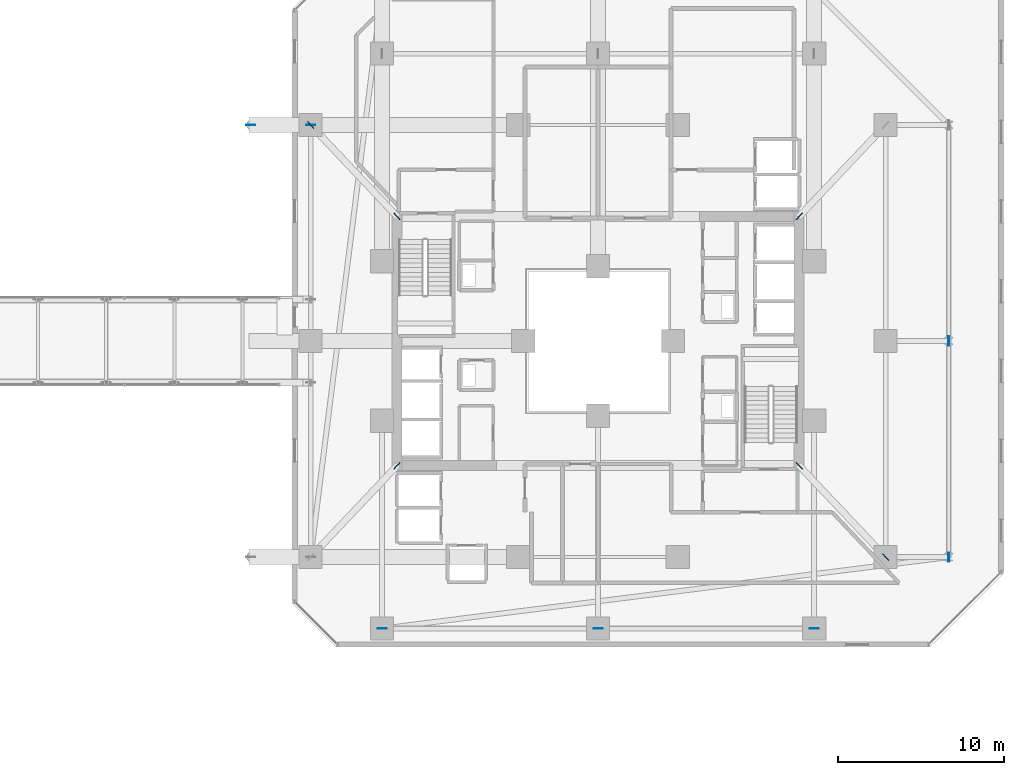
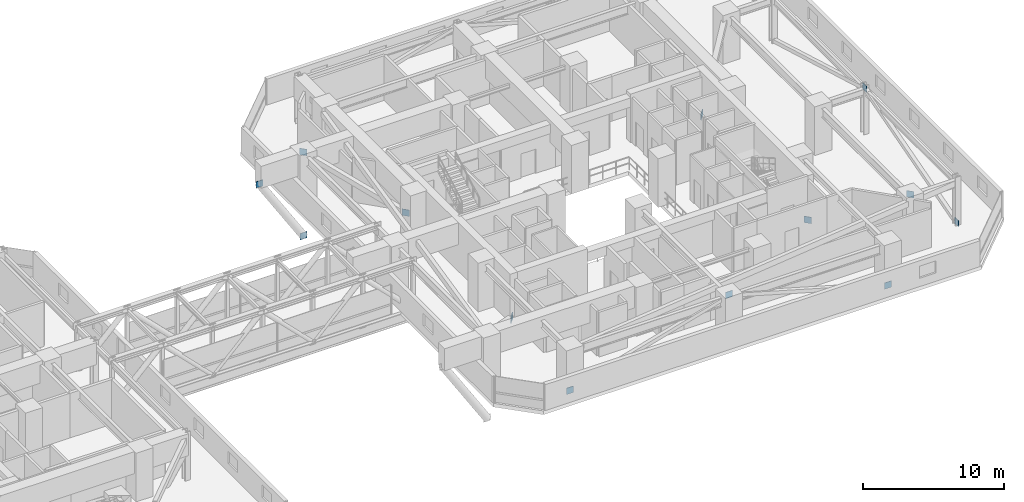
# One storey, part 27 of 38: 13 plates.
"""IFC4 building model written with IfcOpenShell, lengths in metres."""

from ifc_helpers import new_model, si_unit, direction, frame, origin, origin_2d, place, context, subcontext, project, spatial, rectangle, extrude, material, layer, layer_set, type_object, element, save


model = new_model("IFC4")

# Units and contexts
model_context = context("Model", 3, precision=1e-05, world=origin(), true_north=direction((0.0, 1.0)))
body_context = subcontext(model_context, "Body", "Model", "MODEL_VIEW")
ifc_project = project(units=[si_unit("LENGTHUNIT", "METRE"), si_unit("AREAUNIT", "SQUARE_METRE"), si_unit("VOLUMEUNIT", "CUBIC_METRE"), si_unit("PLANEANGLEUNIT", "RADIAN"), si_unit("MASSUNIT", "GRAM", prefix="KILO")], contexts=[model_context])

# Site, building, storey
site_placement = place(None, origin())
site = spatial("IfcSite", under=ifc_project, at=site_placement, CompositionType="ELEMENT")
building_placement = place(site_placement, origin())
building = spatial("IfcBuilding", under=site, at=building_placement, Name="Thornwick Lancets Civic Towers", CompositionType="ELEMENT")
storey_placement = place(building_placement, frame((0.0, 0.0, 71.699951171875)))
storey = spatial("IfcBuildingStorey", under=building, at=storey_placement, Name="L18", CompositionType="ELEMENT", Elevation=71.699951171875)

# Plates
ifc_material = material(Name="Steel S460M", Category="steel")
ifc_layer = layer(ifc_material, 0.0400390625, Name="Steel S460M")
ifc_layer_set = layer_set([ifc_layer], Name="Steel S460M")
plate_type = type_object("IfcPlateType", Name="PLT_GUSSET_40", PredefinedType="USERDEFINED", material=ifc_layer_set)
for number, where, z_axis, x_axis, name in (
    (1, (71.199951171875, 40.0, -3.625), (0.0, 0.0, 1.0), (-1.0, 0.0, 0.0), "L18 Brace Connection Gusset Plate 0095"),
    (2, (67.60009765625, 40.0, 2.10498046875), (0.0, 0.0, 1.0), (-1.0, 0.0, 0.0), "L18 Brace Connection Gusset Plate 0096"),
    (3, (109.60009765625, 14.0, -0.125), (0.0, 0.0, 1.0), (0.0, 1.0, 0.0), "L18 Brace Connection Gusset Plate 0114"),
    (4, (109.60009765625, 27.0, 3.60498046875), (0.0, 0.0, 1.0), (0.0, 1.0, 0.0), "L18 Brace Connection Gusset Plate 0115"),
    (5, (101.5, 9.699951171875, -0.125), (0.0, 0.0, 1.0), (-1.0, 0.0, 0.0), "L18 Brace Connection Gusset Plate 0120"),
    (6, (88.5, 9.699951171875, 3.60498046875), (0.0, 0.0, 1.0), (-1.0, 0.0, 0.0), "L18 Brace Connection Gusset Plate 0121"),
    (7, (75.5, 9.699951171875, -0.125), (0.0, 0.0, 1.0), (1.0, 0.0, 0.0), "L18 Brace Connection Gusset Plate 0122"),
    (8, (100.60009765625, 19.5, -0.125), (0.0, 0.0, 1.0), (0.686960689137, -0.726694579297, 0.0), "L18 Brace Connection Gusset Plate 0123"),
    (9, (105.800048828125, 14.0, 3.60498046875), (0.0, 0.0, 1.0), (0.686960689137, -0.726694579297, 0.0), "L18 Brace Connection Gusset Plate 0124"),
    (10, (100.60009765625, 34.5, -0.125), (0.0, 0.0, 1.0), (0.686960689137, 0.726694579297, 0.0), "L18 Brace Connection Gusset Plate 0125"),
    (11, (76.39990234375, 19.5, -0.125), (0.0, 0.0, 1.0), (-0.686960689137, -0.726694579297, 0.0), "L18 Brace Connection Gusset Plate 0127"),
    (12, (76.39990234375, 34.5, -0.125), (0.0, 0.0, 1.0), (-0.686960689137, 0.726694579297, 0.0), "L18 Brace Connection Gusset Plate 0129"),
    (13, (71.199951171875, 40.0, 3.60498046875), (0.0, 0.0, 1.0), (-0.686960689137, 0.726694579297, 0.0), "L18 Brace Connection Gusset Plate 0130"),
):
    element("IfcPlate", number, at=place(storey_placement, frame(where, z_axis=z_axis, x_axis=x_axis)), inside=storey, type_object=plate_type, Name=name, ObjectType="GUSSET_PLATE", PredefinedType="USERDEFINED", context=body_context, shape_type="SweptSolid", body=[
        extrude(rectangle(XDim=0.550048828125, YDim=0.0400390625, at=origin_2d()), origin(), (0.0, 0.0, 1.0), 0.550048828125),
    ])

save(model, "model.ifc")
